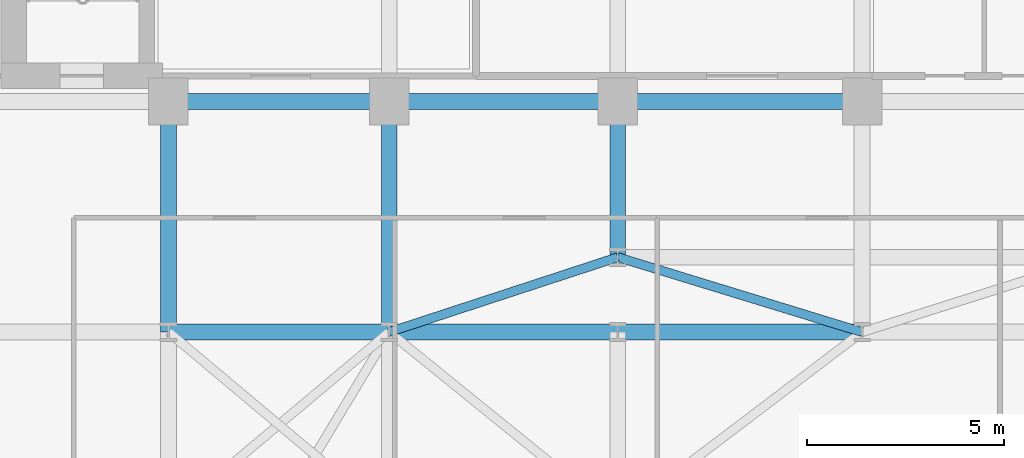
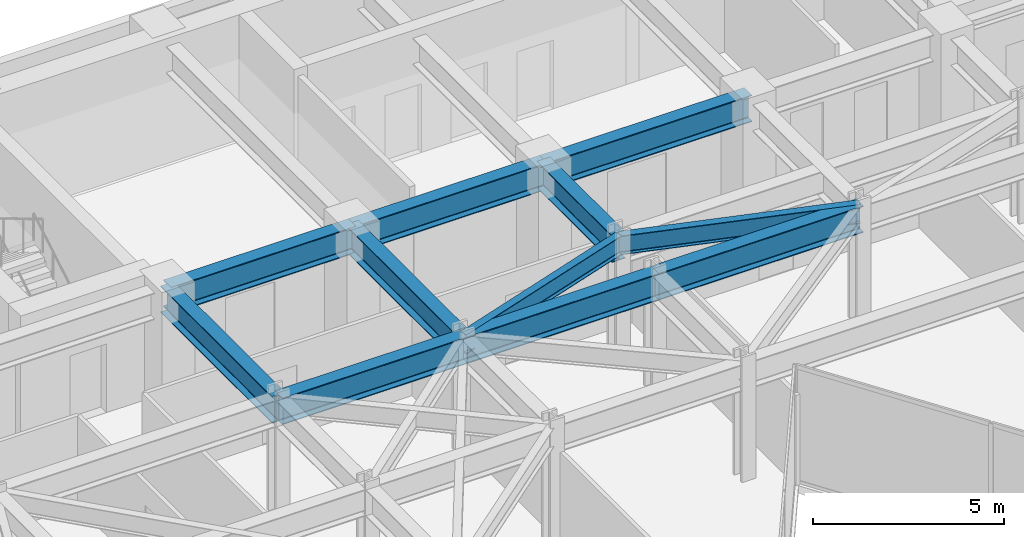
# One storey, part 14 of 26: 11 beams.
"""IFC4 building model written with IfcOpenShell, lengths in metres."""

from ifc_helpers import new_model, si_unit, direction, frame, origin, origin_2d, place, context, subcontext, project, spatial, i_section, extrude, material, material_profile, profile_set, type_object, element, save


model = new_model("IFC4")

# Units and contexts
model_context = context("Model", 3, precision=1e-05, world=origin(), true_north=direction((0.0, 1.0)))
body_context = subcontext(model_context, "Body", "Model", "MODEL_VIEW")
ifc_project = project(units=[si_unit("LENGTHUNIT", "METRE"), si_unit("AREAUNIT", "SQUARE_METRE"), si_unit("VOLUMEUNIT", "CUBIC_METRE"), si_unit("PLANEANGLEUNIT", "RADIAN"), si_unit("MASSUNIT", "GRAM", prefix="KILO")], contexts=[model_context])

# Site, building, storey
site_placement = place(None, origin())
site = spatial("IfcSite", under=ifc_project, at=site_placement, CompositionType="ELEMENT")
building_placement = place(site_placement, origin())
building = spatial("IfcBuilding", under=site, at=building_placement, Name="Kravanh Interchange Tower", CompositionType="ELEMENT")
storey_placement = place(building_placement, frame((0.0, 0.0, 116.0)))
storey = spatial("IfcBuildingStorey", under=building, at=storey_placement, Name="L27", CompositionType="ELEMENT", Elevation=116.0)

# Beams
ifc_material_1 = material(Name="Structural Steel S355", Category="steel")
ifc_material_profile_1 = material_profile(ifc_material_1, i_section(OverallWidth=0.39990234375, OverallDepth=0.85595703125, WebThickness=0.018310546875, FlangeThickness=0.029296875, FilletRadius=0.02490234375, at=origin_2d()), Name="W33X201")
ifc_profile_set_1 = profile_set([ifc_material_profile_1], Name="Structural Steel S355")
beam_type_1 = type_object("IfcBeamType", Name="Floor Beam W33X201 Structural Steel S355", PredefinedType="BEAM", material=ifc_profile_set_1)
beam_1_placement = place(storey_placement, frame((44.800048828125, 37.35009765625, 3.322021484375), z_axis=(-1.0, 0.0, 0.0), x_axis=(0.0, -1.0, 0.0)))
element("IfcBeam", 1, at=beam_1_placement, inside=storey, type_object=beam_type_1, Name="L27 Primary Floor Girder 13", PredefinedType="BEAM", context=body_context, shape_type="SweptSolid", body=[
    extrude(i_section(OverallWidth=0.39990234375, OverallDepth=0.85595703125, WebThickness=0.018310546875, FlangeThickness=0.029296875, FilletRadius=0.02490234375, at=origin_2d()), origin(), (0.0, 0.0, 1.0), 6.199951171875),
])
beam_2_placement = place(storey_placement, frame((38.60009765625, 37.35009765625, 3.322021484375), z_axis=(0.0, -1.0, 0.0), x_axis=(1.0, 0.0, 0.0)))
element("IfcBeam", 2, at=beam_2_placement, inside=storey, type_object=beam_type_1, Name="L27 Primary Floor Girder 16", PredefinedType="BEAM", context=body_context, shape_type="SweptSolid", body=[
    extrude(i_section(OverallWidth=0.39990234375, OverallDepth=0.85595703125, WebThickness=0.018310546875, FlangeThickness=0.029296875, FilletRadius=0.02490234375, at=origin_2d()), origin(), (0.0, 0.0, 1.0), 3.9501953125),
])
beam_3_placement = place(storey_placement, frame((38.60009765625, 37.35009765625, 3.322021484375), z_axis=(-1.0, 0.0, 0.0), x_axis=(0.0, -1.0, 0.0)))
element("IfcBeam", 3, at=beam_3_placement, inside=storey, type_object=beam_type_1, Name="L27 Primary Floor Girder 17", PredefinedType="BEAM", context=body_context, shape_type="SweptSolid", body=[
    extrude(i_section(OverallWidth=0.39990234375, OverallDepth=0.85595703125, WebThickness=0.018310546875, FlangeThickness=0.029296875, FilletRadius=0.02490234375, at=origin_2d()), origin(), (0.0, 0.0, 1.0), 5.800048828125),
])
beam_4_placement = place(storey_placement, frame((32.800048828125, 37.35009765625, 3.322021484375), z_axis=(-1.0, 0.0, 0.0), x_axis=(0.0, -1.0, 0.0)))
element("IfcBeam", 4, at=beam_4_placement, inside=storey, type_object=beam_type_1, Name="L27 Primary Floor Girder 20", PredefinedType="BEAM", context=body_context, shape_type="SweptSolid", body=[
    extrude(i_section(OverallWidth=0.39990234375, OverallDepth=0.85595703125, WebThickness=0.018310546875, FlangeThickness=0.029296875, FilletRadius=0.02490234375, at=origin_2d()), origin(), (0.0, 0.0, 1.0), 5.60009765625),
])
for number, where, z_axis, x_axis, name in (
    (5, (32.800048828125, 37.35009765625, 3.322021484375), (0.0, -1.0, 0.0), (1.0, 0.0, 0.0), "L27 Primary Floor Girder 21"),
    (6, (27.199951171875, 37.35009765625, 3.322021484375), (0.0, -1.0, 0.0), (1.0, 0.0, 0.0), "L27 Primary Floor Girder 24"),
):
    element("IfcBeam", number, at=place(storey_placement, frame(where, z_axis=z_axis, x_axis=x_axis)), inside=storey, type_object=beam_type_1, Name=name, PredefinedType="BEAM", context=body_context, shape_type="SweptSolid", body=[
        extrude(i_section(OverallWidth=0.39990234375, OverallDepth=0.85595703125, WebThickness=0.018310546875, FlangeThickness=0.029296875, FilletRadius=0.02490234375, at=origin_2d()), origin(), (0.0, 0.0, 1.0), 5.85009765625),
    ])
beam_5_placement = place(storey_placement, frame((27.199951171875, 31.5, 3.322021484375), z_axis=(1.0, 0.0, 0.0), x_axis=(0.0, 1.0, 0.0)))
element("IfcBeam", 7, at=beam_5_placement, inside=storey, type_object=beam_type_1, Name="L27 Primary Floor Girder 74", PredefinedType="BEAM", context=body_context, shape_type="SweptSolid", body=[
    extrude(i_section(OverallWidth=0.39990234375, OverallDepth=0.85595703125, WebThickness=0.018310546875, FlangeThickness=0.029296875, FilletRadius=0.02490234375, at=origin_2d()), origin(), (0.0, 0.0, 1.0), 5.60009765625),
])
beam_6_placement = place(storey_placement, frame((32.800048828125, 31.5, 3.322021484375), z_axis=(1.0, 0.0, 0.0), x_axis=(0.0, 1.0, 0.0)))
element("IfcBeam", 8, at=beam_6_placement, inside=storey, type_object=beam_type_1, Name="L27 Primary Floor Girder 78", PredefinedType="BEAM", context=body_context, shape_type="SweptSolid", body=[
    extrude(i_section(OverallWidth=0.39990234375, OverallDepth=0.85595703125, WebThickness=0.018310546875, FlangeThickness=0.029296875, FilletRadius=0.02490234375, at=origin_2d()), origin(), (0.0, 0.0, 1.0), 5.800048828125),
])
beam_7_placement = place(storey_placement, frame((38.60009765625, 31.5, 3.322021484375), z_axis=(1.0, 0.0, 0.0), x_axis=(0.0, 1.0, 0.0)))
element("IfcBeam", 9, at=beam_7_placement, inside=storey, type_object=beam_type_1, Name="L27 Primary Floor Girder 81", PredefinedType="BEAM", context=body_context, shape_type="SweptSolid", body=[
    extrude(i_section(OverallWidth=0.39990234375, OverallDepth=0.85595703125, WebThickness=0.018310546875, FlangeThickness=0.029296875, FilletRadius=0.02490234375, at=origin_2d()), origin(), (0.0, 0.0, 1.0), 6.199951171875),
])
ifc_material_2 = material(Name="Structural Steel S355", Category="steel")
ifc_material_profile_2 = material_profile(ifc_material_2, i_section(OverallWidth=0.22802734375, OverallDepth=0.60791015625, WebThickness=0.01123046875, FlangeThickness=0.017333984375, FilletRadius=0.02197265625, at=origin_2d()), Name="W24X76")
ifc_profile_set_2 = profile_set([ifc_material_profile_2], Name="Structural Steel S355")
beam_type_2 = type_object("IfcBeamType", Name="Floor Spandrel W24X76 Structural Steel S355", PredefinedType="SPANDREL", material=ifc_profile_set_2)
beam_8_placement = place(storey_placement, frame((32.800048828125, 31.5, 3.446044921875), z_axis=(0.950314536578, 0.31129131303, 0.0), x_axis=(-0.31129131303, 0.950314536578, 0.0)))
element("IfcBeam", 10, at=beam_8_placement, inside=storey, type_object=beam_type_2, Name="L27 Perimeter Spandrel 79", PredefinedType="SPANDREL", context=body_context, shape_type="SweptSolid", body=[
    extrude(i_section(OverallWidth=0.22802734375, OverallDepth=0.60791015625, WebThickness=0.01123046875, FlangeThickness=0.017333984375, FilletRadius=0.02197265625, at=origin_2d()), origin(), (0.0, 0.0, 1.0), 6.103271484375),
])
beam_9_placement = place(storey_placement, frame((44.800048828125, 31.5, 3.446044921875), z_axis=(-0.956115397264, 0.292990353279, 0.0), x_axis=(-0.292990353279, -0.956115397264, 0.0)))
element("IfcBeam", 11, at=beam_9_placement, inside=storey, type_object=beam_type_2, Name="L27 Perimeter Spandrel 85", PredefinedType="SPANDREL", context=body_context, shape_type="SweptSolid", body=[
    extrude(i_section(OverallWidth=0.22802734375, OverallDepth=0.60791015625, WebThickness=0.01123046875, FlangeThickness=0.017333984375, FilletRadius=0.02197265625, at=origin_2d()), origin(), (0.0, 0.0, 1.0), 6.484619140625),
])

save(model, "model.ifc")
